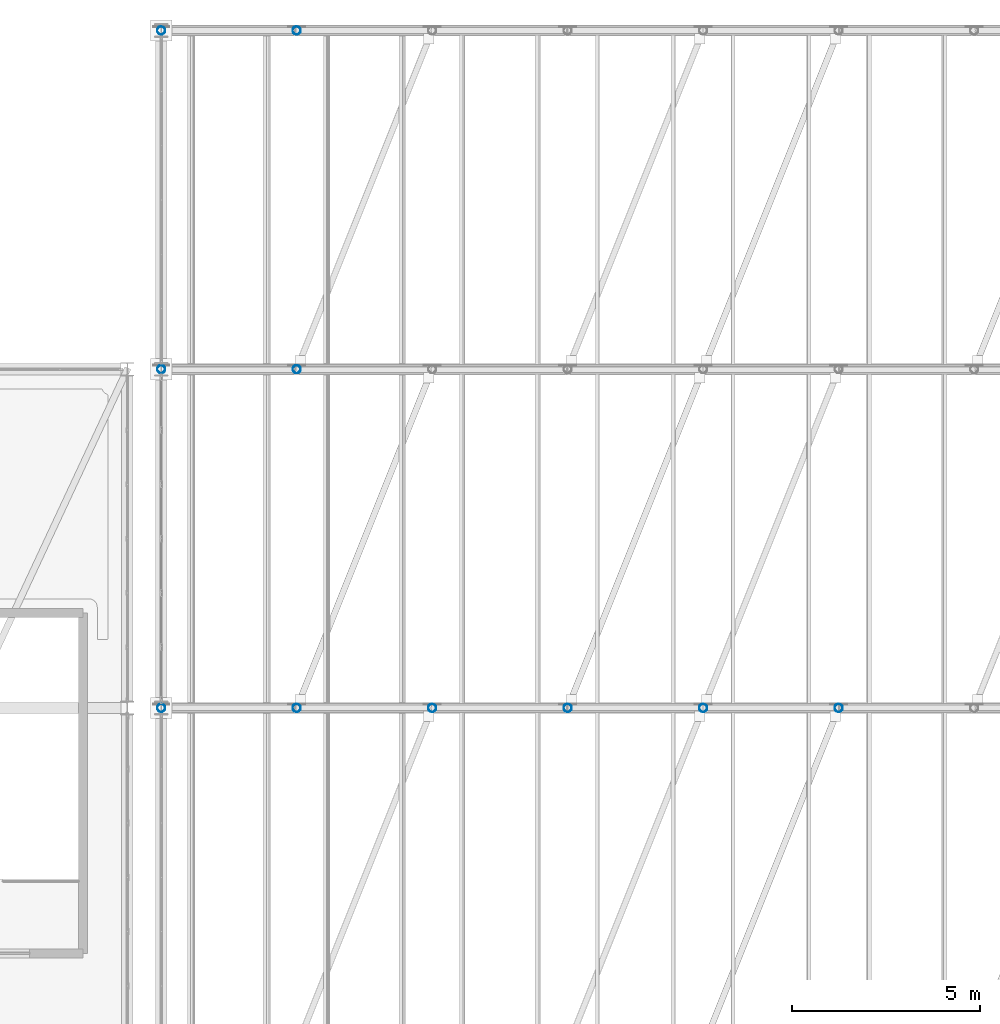
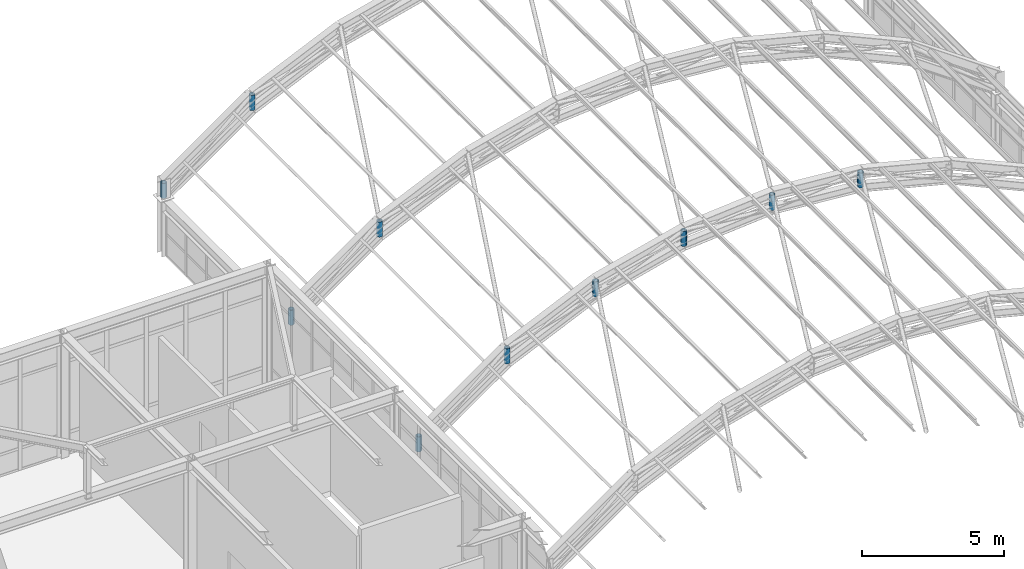
# One storey, part 93 of 121: 10 members.
"""IFC4 building model written with IfcOpenShell, lengths in metres."""

from ifc_helpers import new_model, si_unit, direction, frame, origin, origin_2d, place, context, subcontext, project, spatial, hollow_circle, extrude, material, material_profile, profile_set, type_object, element, save


model = new_model("IFC4")

# Units and contexts
model_context = context("Model", 3, precision=1e-05, world=origin(), true_north=direction((0.0, 1.0)))
body_context = subcontext(model_context, "Body", "Model", "MODEL_VIEW")
ifc_project = project(units=[si_unit("LENGTHUNIT", "METRE"), si_unit("AREAUNIT", "SQUARE_METRE"), si_unit("VOLUMEUNIT", "CUBIC_METRE"), si_unit("PLANEANGLEUNIT", "RADIAN"), si_unit("MASSUNIT", "GRAM", prefix="KILO")], contexts=[model_context])

# Site, building, storey
site_placement = place(None, origin())
site = spatial("IfcSite", under=ifc_project, at=site_placement, CompositionType="ELEMENT")
building_placement = place(site_placement, origin())
building = spatial("IfcBuilding", under=site, at=building_placement, Name="Canglan Escarpment Cableway Terminal", CompositionType="ELEMENT")
storey_placement = place(building_placement, frame((0.0, 0.0, 24.60009765625)))
storey = spatial("IfcBuildingStorey", under=building, at=storey_placement, Name="L05", CompositionType="ELEMENT", Elevation=24.60009765625)

# Members
ifc_material = material(Name="Steel Q355B", Category="steel")
ifc_material_profile = material_profile(ifc_material, hollow_circle(Radius=0.109619140625, WallThickness=0.008056640625, at=origin_2d()), Name="CHS 219.1x8")
ifc_profile_set = profile_set([ifc_material_profile], Name="Steel Q355B")
member_type = type_object("IfcMemberType", Name="MB-ARCH-WEB-CHS219", PredefinedType="BRACE", material=ifc_profile_set)
for number, where, z_axis, x_axis, name in (
    (1, (141.199951171875, 106.0, 4.966552734375), (0.0, 0.0, 1.0), (1.0, 0.0, 0.0), "Vault ROOF TRUSS vertical strut AR-WB1"),
    (2, (144.800048828125, 106.0, 6.58837890625), (0.0, 0.0, 1.0), (1.0, 0.0, 0.0), "Vault ROOF TRUSS vertical strut AR-WB1"),
    (3, (148.39990234375, 106.0, 7.50341796875), (0.0, 0.0, 1.0), (1.0, 0.0, 0.0), "Vault ROOF TRUSS vertical strut AR-WB1"),
):
    element("IfcMember", number, at=place(storey_placement, frame(where, z_axis=z_axis, x_axis=x_axis)), inside=storey, type_object=member_type, Name=name, PredefinedType="BRACE", context=body_context, shape_type="SweptSolid", body=[
        extrude(hollow_circle(Radius=0.109619140625, WallThickness=0.008056640625, at=origin_2d()), origin(), (0.0, 0.0, 1.0), 0.64990234375),
    ])
member_1_placement = place(storey_placement, frame((152.0, 106.0, 7.7998046875), z_axis=(0.0, 0.0, 1.0), x_axis=(1.0, 0.0, 0.0)))
element("IfcMember", 4, at=member_1_placement, inside=storey, type_object=member_type, Name="Vault ROOF TRUSS vertical strut AR-WB1", PredefinedType="BRACE", context=body_context, shape_type="SweptSolid", body=[
    extrude(hollow_circle(Radius=0.109619140625, WallThickness=0.008056640625, at=origin_2d()), origin(), (0.0, 0.0, 1.0), 0.650146484375),
])
member_2_placement = place(storey_placement, frame((155.60009765625, 106.0, 7.50341796875), z_axis=(0.0, 0.0, 1.0), x_axis=(1.0, 0.0, 0.0)))
element("IfcMember", 5, at=member_2_placement, inside=storey, type_object=member_type, Name="Vault ROOF TRUSS vertical strut AR-WB1", PredefinedType="BRACE", context=body_context, shape_type="SweptSolid", body=[
    extrude(hollow_circle(Radius=0.109619140625, WallThickness=0.008056640625, at=origin_2d()), origin(), (0.0, 0.0, 1.0), 0.64990234375),
])
member_3_placement = place(storey_placement, frame((137.60009765625, 106.0, 2.432373046875), z_axis=(0.0, 0.0, 1.0), x_axis=(1.0, 0.0, 0.0)))
element("IfcMember", 6, at=member_3_placement, inside=storey, type_object=member_type, Name="Vault ROOF TRUSS springing strut AR-WB1", PredefinedType="BRACE", context=body_context, shape_type="SweptSolid", body=[
    extrude(hollow_circle(Radius=0.109619140625, WallThickness=0.008056640625, at=origin_2d()), origin(), (0.0, 0.0, 1.0), 0.650146484375),
])
member_4_placement = place(storey_placement, frame((141.199951171875, 115.0, 4.966552734375), z_axis=(0.0, 0.0, 1.0), x_axis=(1.0, 0.0, 0.0)))
element("IfcMember", 7, at=member_4_placement, inside=storey, type_object=member_type, Name="Vault ROOF TRUSS vertical strut AR-WB1", PredefinedType="BRACE", context=body_context, shape_type="SweptSolid", body=[
    extrude(hollow_circle(Radius=0.109619140625, WallThickness=0.008056640625, at=origin_2d()), origin(), (0.0, 0.0, 1.0), 0.64990234375),
])
member_5_placement = place(storey_placement, frame((137.60009765625, 115.0, 2.432373046875), z_axis=(0.0, 0.0, 1.0), x_axis=(1.0, 0.0, 0.0)))
element("IfcMember", 8, at=member_5_placement, inside=storey, type_object=member_type, Name="Vault ROOF TRUSS springing strut AR-WB1", PredefinedType="BRACE", context=body_context, shape_type="SweptSolid", body=[
    extrude(hollow_circle(Radius=0.109619140625, WallThickness=0.008056640625, at=origin_2d()), origin(), (0.0, 0.0, 1.0), 0.650146484375),
])
member_6_placement = place(storey_placement, frame((141.199951171875, 124.0, 4.966552734375), z_axis=(0.0, 0.0, 1.0), x_axis=(1.0, 0.0, 0.0)))
element("IfcMember", 9, at=member_6_placement, inside=storey, type_object=member_type, Name="Vault ROOF TRUSS vertical strut AR-WB1", PredefinedType="BRACE", context=body_context, shape_type="SweptSolid", body=[
    extrude(hollow_circle(Radius=0.109619140625, WallThickness=0.008056640625, at=origin_2d()), origin(), (0.0, 0.0, 1.0), 0.64990234375),
])
member_7_placement = place(storey_placement, frame((137.60009765625, 124.0, 2.432373046875), z_axis=(0.0, 0.0, 1.0), x_axis=(1.0, 0.0, 0.0)))
element("IfcMember", 10, at=member_7_placement, inside=storey, type_object=member_type, Name="Vault ROOF TRUSS springing strut AR-WB1", PredefinedType="BRACE", context=body_context, shape_type="SweptSolid", body=[
    extrude(hollow_circle(Radius=0.109619140625, WallThickness=0.008056640625, at=origin_2d()), origin(), (0.0, 0.0, 1.0), 0.650146484375),
])

save(model, "model.ifc")
